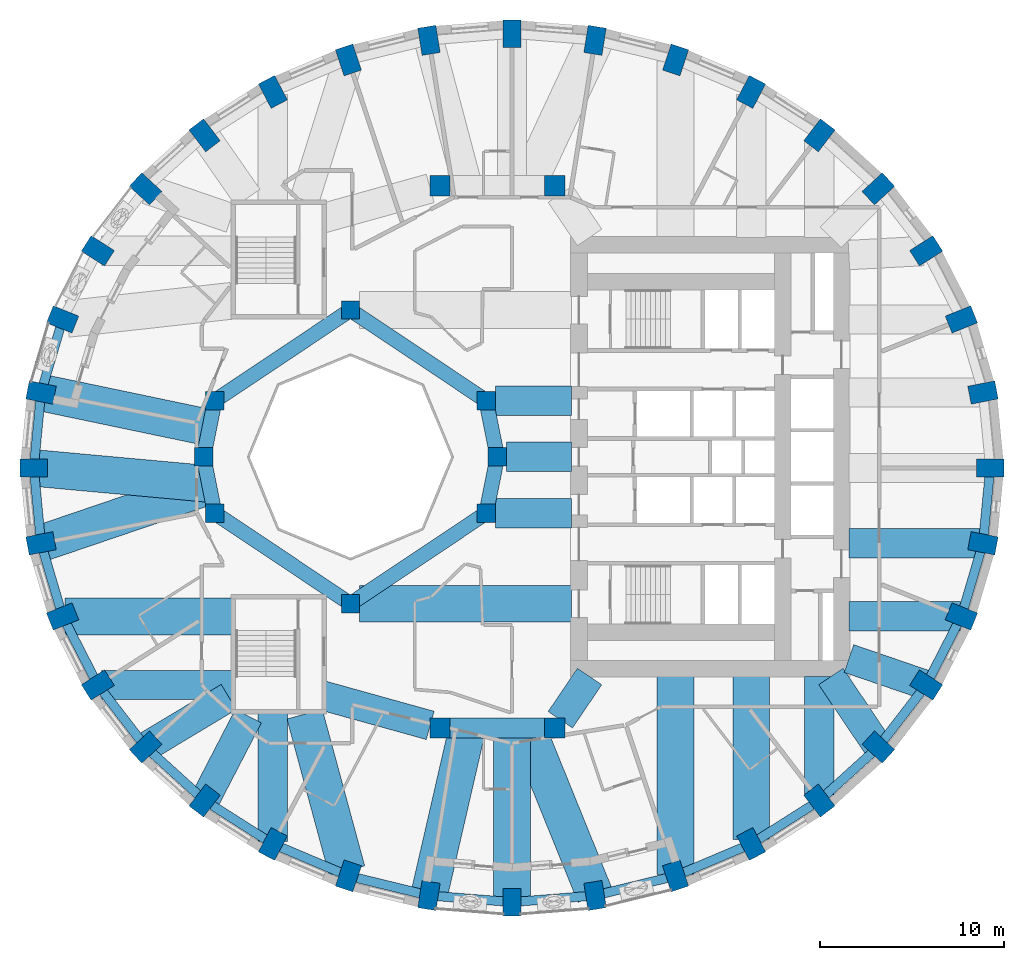
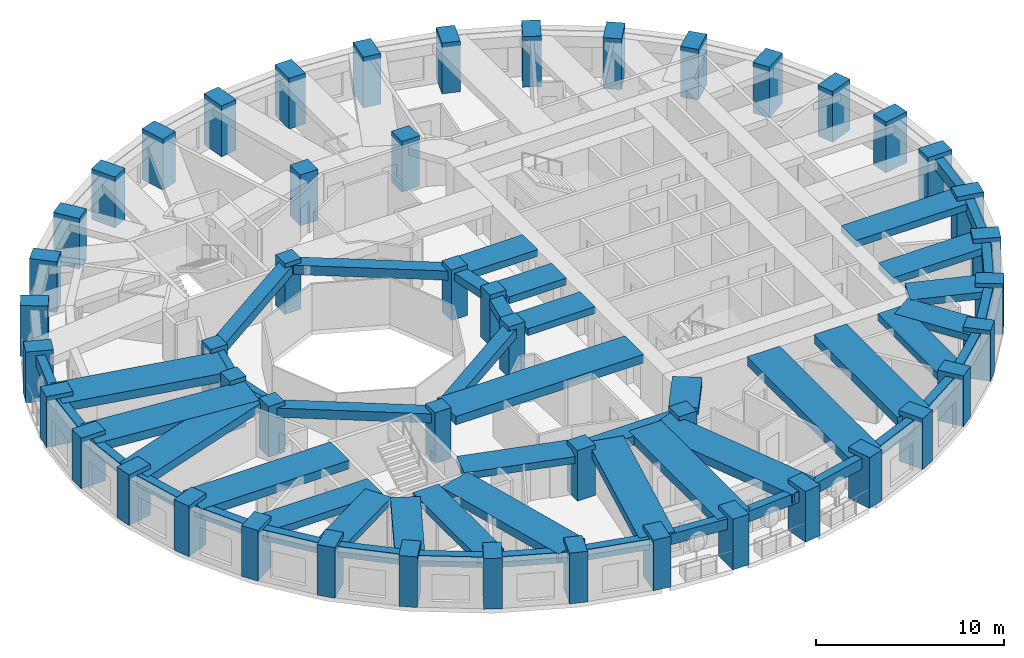
# One storey, part 1 of 13: 54 beams, 48 columns.
"""IFC4 building model written with IfcOpenShell, lengths in metres."""

from ifc_helpers import new_model, si_unit, direction, frame, origin, origin_2d, place, context, subcontext, project, spatial, rectangle, extrude, material, material_profile, profile_set, type_object, element, save


model = new_model("IFC4")

# Units and contexts
model_context = context("Model", 3, precision=1e-05, world=origin(), true_north=direction((0.0, 1.0)))
body_context = subcontext(model_context, "Body", "Model", "MODEL_VIEW")
ifc_project = project(units=[si_unit("LENGTHUNIT", "METRE"), si_unit("AREAUNIT", "SQUARE_METRE"), si_unit("VOLUMEUNIT", "CUBIC_METRE"), si_unit("PLANEANGLEUNIT", "RADIAN"), si_unit("MASSUNIT", "GRAM", prefix="KILO")], contexts=[model_context])

# Site, building, storey
site_placement = place(None, origin())
site = spatial("IfcSite", under=ifc_project, at=site_placement, CompositionType="ELEMENT")
building_placement = place(site_placement, origin())
building = spatial("IfcBuilding", under=site, at=building_placement, Name="Taillehof Tower", CompositionType="ELEMENT")
storey_placement = place(building_placement, frame((0.0, 0.0, 112.0)))
storey = spatial("IfcBuildingStorey", under=building, at=storey_placement, Name="L31", CompositionType="ELEMENT", Elevation=112.0)

# Columns
ifc_material_1 = material(Name="Concrete C50/60", Category="concrete")
ifc_material_profile_1 = material_profile(ifc_material_1, rectangle(XDim=1.0, YDim=1.0, at=origin_2d()), Name="RC 1000x1000")
ifc_profile_set_1 = profile_set([ifc_material_profile_1], Name="Concrete C50/60")
column_type_1 = type_object("IfcColumnType", Name="Atrium ring column C50/60 1000x1000", PredefinedType="COLUMN", material=ifc_profile_set_1)
for number, where, z_axis, x_axis, name in (
    (1, (0.0, 0.0, 0.0), (0.0, 0.0, 1.0), (1.0, 0.0, 0.0), "Column AC01"),
    (2, (-0.60888671875, 3.0615234375, 0.0), (0.0, 0.0, 1.0), (1.0, 0.0, 0.0), "Column AC02"),
    (3, (-8.0, 8.0, 0.0), (0.0, 0.0, 1.0), (1.0, 0.0, 0.0), "Column AC05"),
    (4, (-15.39111328125, 3.0615234375, 0.0), (0.0, 0.0, 1.0), (1.0, 0.0, 0.0), "Column AC08"),
    (5, (-16.0, 0.0, 0.0), (0.0, 0.0, 1.0), (1.0, 0.0, 0.0), "Column AC09"),
    (6, (-15.39111328125, -3.0615234375, 0.0), (0.0, 0.0, 1.0), (1.0, 0.0, 0.0), "Column AC10"),
    (7, (-8.0, -8.0, 0.0), (0.0, 0.0, 1.0), (1.0, 0.0, 0.0), "Column AC13"),
    (8, (-0.60888671875, -3.0615234375, 0.0), (0.0, 0.0, 1.0), (1.0, 0.0, 0.0), "Column AC16"),
):
    element("IfcColumn", number, at=place(storey_placement, frame(where, z_axis=z_axis, x_axis=x_axis)), inside=storey, type_object=column_type_1, Name=name, PredefinedType="COLUMN", context=body_context, shape_type="SweptSolid", body=[
        extrude(rectangle(XDim=1.0, YDim=1.0, at=origin_2d()), origin(), (0.0, 0.0, 1.0), 3.300048828125),
    ])
ifc_material_2 = material(Name="Concrete C50/60", Category="concrete")
ifc_material_profile_2 = material_profile(ifc_material_2, rectangle(XDim=1.10009765625, YDim=1.10009765625, at=origin_2d()), Name="RC 1100x1100")
ifc_profile_set_2 = profile_set([ifc_material_profile_2], Name="Concrete C50/60")
column_type_2 = type_object("IfcColumnType", Name="Mid-ring column C50/60 1100x1100", PredefinedType="COLUMN", material=ifc_profile_set_2)
for number, where, z_axis, x_axis, name in (
    (9, (3.125732421875, 14.772216796875, 0.0), (0.0, 0.0, 1.0), (1.0, 0.0, 0.0), "Column MC05"),
    (10, (-3.125732421875, 14.772216796875, 0.0), (0.0, 0.0, 1.0), (1.0, 0.0, 0.0), "Column MC06"),
    (11, (-3.125732421875, -14.772216796875, 0.0), (0.0, 0.0, 1.0), (1.0, 0.0, 0.0), "Column MC14"),
    (12, (3.125732421875, -14.772216796875, 0.0), (0.0, 0.0, 1.0), (1.0, 0.0, 0.0), "Column MC15"),
):
    element("IfcColumn", number, at=place(storey_placement, frame(where, z_axis=z_axis, x_axis=x_axis)), inside=storey, type_object=column_type_2, Name=name, PredefinedType="COLUMN", context=body_context, shape_type="SweptSolid", body=[
        extrude(rectangle(XDim=1.10009765625, YDim=1.10009765625, at=origin_2d()), origin(), (0.0, 0.0, 1.0), 3.300048828125),
    ])
ifc_material_3 = material(Name="Concrete C70/85", Category="concrete")
ifc_material_profile_3 = material_profile(ifc_material_3, rectangle(XDim=1.5, YDim=1.0, at=origin_2d()), Name="RC 1500x1000")
ifc_profile_set_3 = profile_set([ifc_material_profile_3], Name="Concrete C70/85")
column_type_3 = type_object("IfcColumnType", Name="Ring column C70/85 1500x1000", PredefinedType="COLUMN", material=ifc_profile_set_3)
for number, where, z_axis, x_axis, name in (
    (13, (26.85009765625, -0.60009765625, 0.0), (0.0, 0.0, 1.0), (1.0, 0.0, 0.0), "Ring column RC01"),
    (14, (26.454345703125, 3.5068359375, 0.0), (0.0, 0.0, 1.0), (0.981757466121, 0.190137523166, 0.0), "Ring column RC02"),
    (15, (25.279052734375, 7.48876953125, 0.0), (0.0, 0.0, 1.0), (0.928550110352, 0.371207075048, 0.0), "Ring column RC03"),
    (16, (23.35986328125, 11.22509765625, 0.0), (0.0, 0.0, 1.0), (0.844511454562, 0.535537489923, 0.0), "Ring column RC04"),
    (17, (20.75537109375, 14.60205078125, 0.0), (0.0, 0.0, 1.0), (0.735332034083, 0.677707016085, 0.0), "Ring column RC05"),
    (18, (17.544677734375, 17.516845703125, 0.0), (0.0, 0.0, 1.0), (0.607074228939, 0.794645128694, 0.0), "Ring column RC06"),
    (19, (13.824951171875, 19.881591796875, 0.0), (0.0, 0.0, 1.0), (0.465283017627, 0.885161970211, 0.0), "Ring column RC07"),
    (20, (9.709716796875, 21.623779296875, 0.0), (0.0, 0.0, 1.0), (0.314554972703, 0.949239258116, 0.0), "Ring column RC08"),
    (21, (5.323486328125, 22.690673828125, 0.0), (0.0, 0.0, 1.0), (0.158507038215, 0.987357847407, 0.0), "Ring column RC09"),
    (22, (0.800048828125, 23.050048828125, 0.0), (0.0, 0.0, 1.0), (0.0, 1.0, 0.0), "Ring column RC10"),
    (23, (-3.7236328125, 22.690673828125, 0.0), (0.0, 0.0, 1.0), (-0.158507038215, 0.987357847407, 0.0), "Ring column RC11"),
    (24, (-8.109619140625, 21.623779296875, 0.0), (0.0, 0.0, 1.0), (-0.314554972703, 0.949239258116, 0.0), "Ring column RC12"),
    (25, (-12.22509765625, 19.881591796875, 0.0), (0.0, 0.0, 1.0), (-0.465283017627, 0.885161970211, 0.0), "Ring column RC13"),
    (26, (-15.944580078125, 17.516845703125, 0.0), (0.0, 0.0, 1.0), (-0.607074228939, 0.794645128694, 0.0), "Ring column RC14"),
    (27, (-19.155517578125, 14.60205078125, 0.0), (0.0, 0.0, 1.0), (-0.735332034083, 0.677707016085, 0.0), "Ring column RC15"),
    (28, (-21.760009765625, 11.22509765625, 0.0), (0.0, 0.0, 1.0), (-0.844511454562, 0.535537489923, 0.0), "Ring column RC16"),
    (29, (-23.678955078125, 7.48876953125, 0.0), (0.0, 0.0, 1.0), (-0.928550110352, 0.371207075048, 0.0), "Ring column RC17"),
    (30, (-24.854248046875, 3.5068359375, 0.0), (0.0, 0.0, 1.0), (-0.981757466121, 0.190137523166, 0.0), "Ring column RC18"),
    (31, (-25.25, -0.60009765625, 0.0), (0.0, 0.0, 1.0), (-1.0, 0.0, 0.0), "Ring column RC19"),
    (32, (-24.854248046875, -4.706787109375, 0.0), (0.0, 0.0, 1.0), (-0.981757466121, -0.190137523166, 0.0), "Ring column RC20"),
    (33, (-23.678955078125, -8.688720703125, 0.0), (0.0, 0.0, 1.0), (-0.928550110352, -0.371207075048, 0.0), "Ring column RC21"),
    (34, (-21.760009765625, -12.425048828125, 0.0), (0.0, 0.0, 1.0), (-0.844511454562, -0.535537489923, 0.0), "Ring column RC22"),
    (35, (-19.155517578125, -15.802001953125, 0.0), (0.0, 0.0, 1.0), (-0.735332034083, -0.677707016085, 0.0), "Ring column RC23"),
    (36, (-15.944580078125, -18.717041015625, 0.0), (0.0, 0.0, 1.0), (-0.607074228939, -0.794645128694, 0.0), "Ring column RC24"),
    (37, (-12.22509765625, -21.08154296875, 0.0), (0.0, 0.0, 1.0), (-0.465283017627, -0.885161970211, 0.0), "Ring column RC25"),
    (38, (-8.109619140625, -22.82373046875, 0.0), (0.0, 0.0, 1.0), (-0.314554972703, -0.949239258116, 0.0), "Ring column RC26"),
    (39, (-3.7236328125, -23.890625, 0.0), (0.0, 0.0, 1.0), (-0.158507038215, -0.987357847407, 0.0), "Ring column RC27"),
    (40, (0.800048828125, -24.25, 0.0), (0.0, 0.0, 1.0), (0.0, -1.0, 0.0), "Ring column RC28"),
    (41, (5.323486328125, -23.890625, 0.0), (0.0, 0.0, 1.0), (0.158507038215, -0.987357847407, 0.0), "Ring column RC29"),
    (42, (9.709716796875, -22.82373046875, 0.0), (0.0, 0.0, 1.0), (0.314554972703, -0.949239258116, 0.0), "Ring column RC30"),
    (43, (13.824951171875, -21.08154296875, 0.0), (0.0, 0.0, 1.0), (0.465283017627, -0.885161970211, 0.0), "Ring column RC31"),
    (44, (17.544677734375, -18.717041015625, 0.0), (0.0, 0.0, 1.0), (0.607074228939, -0.794645128694, 0.0), "Ring column RC32"),
    (45, (20.75537109375, -15.802001953125, 0.0), (0.0, 0.0, 1.0), (0.735332034083, -0.677707016085, 0.0), "Ring column RC33"),
    (46, (23.35986328125, -12.425048828125, 0.0), (0.0, 0.0, 1.0), (0.844511454562, -0.535537489923, 0.0), "Ring column RC34"),
    (47, (25.279052734375, -8.688720703125, 0.0), (0.0, 0.0, 1.0), (0.928550110352, -0.371207075048, 0.0), "Ring column RC35"),
    (48, (26.454345703125, -4.706787109375, 0.0), (0.0, 0.0, 1.0), (0.981757466121, -0.190137523166, 0.0), "Ring column RC36"),
):
    element("IfcColumn", number, at=place(storey_placement, frame(where, z_axis=z_axis, x_axis=x_axis)), inside=storey, type_object=column_type_3, Name=name, PredefinedType="COLUMN", context=body_context, shape_type="SweptSolid", body=[
        extrude(rectangle(XDim=1.5, YDim=1.0, at=origin_2d()), origin(), (0.0, 0.0, 1.0), 3.300048828125),
    ])

# Beams
ifc_material_4 = material(Name="Concrete C50/60", Category="concrete")
ifc_material_profile_4 = material_profile(ifc_material_4, rectangle(XDim=0.800048828125, YDim=0.5, at=origin_2d()), Name="RC 800x500")
ifc_profile_set_4 = profile_set([ifc_material_profile_4], Name="Concrete C50/60")
beam_type_1 = type_object("IfcBeamType", Name="Atrium ring beam C50/60 800x500", PredefinedType="BEAM", material=ifc_profile_set_4)
for number, where, z_axis, x_axis, name in (
    (49, (0.0, 0.0, 2.77001953125), (-0.195063155143, 0.980790683839, 0.0), (-0.980790683839, -0.195063155143, 0.0), "Atrium ring beam AB01"),
    (50, (-15.39111328125, 3.0615234375, 2.77001953125), (-0.195063155143, -0.980790683839, 0.0), (0.980790683839, -0.195063155143, 0.0), "Atrium ring beam AB04"),
    (51, (-16.0, 0.0, 2.77001953125), (0.195063155143, -0.980790683839, 0.0), (0.980790683839, 0.195063155143, 0.0), "Atrium ring beam AB05"),
    (52, (-0.60888671875, -3.0615234375, 2.77001953125), (0.195063155143, 0.980790683839, 0.0), (-0.980790683839, 0.195063155143, 0.0), "Atrium ring beam AB08"),
):
    element("IfcBeam", number, at=place(storey_placement, frame(where, z_axis=z_axis, x_axis=x_axis)), inside=storey, type_object=beam_type_1, Name=name, PredefinedType="BEAM", context=body_context, shape_type="SweptSolid", body=[
        extrude(rectangle(XDim=0.800048828125, YDim=0.5, at=origin_2d()), origin(), (0.0, 0.0, 1.0), 3.12158203125),
    ])
ifc_material_5 = material(Name="Concrete C50/60", Category="concrete")
ifc_material_profile_5 = material_profile(ifc_material_5, rectangle(XDim=0.800048828125, YDim=0.60009765625, at=origin_2d()), Name="RC 800x600")
ifc_profile_set_5 = profile_set([ifc_material_profile_5], Name="Concrete C50/60")
beam_type_2 = type_object("IfcBeamType", Name="Atrium ring beam C50/60 800x600", PredefinedType="BEAM", material=ifc_profile_set_5)
for number, where, z_axis, x_axis, name in (
    (53, (-0.60888671875, 3.0615234375, 2.719970703125), (-0.831475195687, 0.555561876804, 0.0), (-0.555561876804, -0.831475195687, 0.0), "Atrium ring beam AB02"),
    (54, (-8.0, 8.0, 2.719970703125), (-0.831475195687, -0.555561876804, 0.0), (0.555561876804, -0.831475195687, 0.0), "Atrium ring beam AB03"),
    (55, (-15.39111328125, -3.0615234375, 2.719970703125), (0.831475195687, -0.555561876804, 0.0), (0.555561876804, 0.831475195687, 0.0), "Atrium ring beam AB06"),
    (56, (-8.0, -8.0, 2.719970703125), (0.831475195687, 0.555561876804, 0.0), (-0.555561876804, 0.831475195687, 0.0), "Atrium ring beam AB07"),
):
    element("IfcBeam", number, at=place(storey_placement, frame(where, z_axis=z_axis, x_axis=x_axis)), inside=storey, type_object=beam_type_2, Name=name, PredefinedType="BEAM", context=body_context, shape_type="SweptSolid", body=[
        extrude(rectangle(XDim=0.800048828125, YDim=0.60009765625, at=origin_2d()), origin(), (0.0, 0.0, 1.0), 8.88916015625),
    ])
ifc_material_6 = material(Name="Concrete C50/60", Category="concrete")
ifc_material_profile_6 = material_profile(ifc_material_6, rectangle(XDim=1.10009765625, YDim=0.60009765625, at=origin_2d()), Name="RC 1100x600")
ifc_profile_set_6 = profile_set([ifc_material_profile_6], Name="Concrete C50/60")
beam_type_3 = type_object("IfcBeamType", Name="Mid-ring beam C50/60 1100x600", PredefinedType="BEAM", material=ifc_profile_set_6)
beam_1_placement = place(storey_placement, frame((-3.125732421875, -14.772216796875, 2.719970703125), z_axis=(1.0, 0.0, 0.0), x_axis=(0.0, 1.0, 0.0)))
element("IfcBeam", 57, at=beam_1_placement, inside=storey, type_object=beam_type_3, Name="Mid-ring beam MB02", PredefinedType="BEAM", context=body_context, shape_type="SweptSolid", body=[
    extrude(rectangle(XDim=1.10009765625, YDim=0.60009765625, at=origin_2d()), origin(), (0.0, 0.0, 1.0), 6.25146484375),
])
ifc_material_7 = material(Name="Concrete C50/60", Category="concrete")
ifc_material_profile_7 = material_profile(ifc_material_7, rectangle(XDim=1.60009765625, YDim=0.449951171875, at=origin_2d()), Name="RC 1600x450")
ifc_profile_set_7 = profile_set([ifc_material_profile_7], Name="Concrete C50/60")
beam_type_4 = type_object("IfcBeamType", Name="Radial band beam C50/60 1600x450", PredefinedType="BEAM", material=ifc_profile_set_7)
beam_2_placement = place(storey_placement, frame((-21.54736328125, -12.425048828125, 2.794921875), z_axis=(1.0, 0.0, 0.0), x_axis=(0.0, 1.0, 0.0)))
element("IfcBeam", 58, at=beam_2_placement, inside=storey, type_object=beam_type_4, Name="Radial band beam RB22", PredefinedType="BEAM", context=body_context, shape_type="SweptSolid", body=[
    extrude(rectangle(XDim=1.60009765625, YDim=0.449951171875, at=origin_2d()), origin(), (0.0, 0.0, 1.0), 7.097412109375),
])
beam_3_placement = place(storey_placement, frame((-19.155517578125, -15.802001953125, 2.794921875), z_axis=(0.856794973818, 0.515657224171, 0.0), x_axis=(-0.515657224171, 0.856794973818, 0.0)))
element("IfcBeam", 59, at=beam_3_placement, inside=storey, type_object=beam_type_4, Name="Radial band beam RB23", PredefinedType="BEAM", context=body_context, shape_type="SweptSolid", body=[
    extrude(rectangle(XDim=1.60009765625, YDim=0.449951171875, at=origin_2d()), origin(), (0.0, 0.0, 1.0), 5.28369140625),
])
beam_4_placement = place(storey_placement, frame((-15.944580078125, -18.717041015625, 2.794921875), z_axis=(0.460119038647, 0.8878572353, 0.0), x_axis=(-0.8878572353, 0.460119038647, 0.0)))
element("IfcBeam", 60, at=beam_4_placement, inside=storey, type_object=beam_type_4, Name="Radial band beam RB24", PredefinedType="BEAM", context=body_context, shape_type="SweptSolid", body=[
    extrude(rectangle(XDim=1.60009765625, YDim=0.449951171875, at=origin_2d()), origin(), (0.0, 0.0, 1.0), 5.1796875),
])
beam_5_placement = place(storey_placement, frame((-12.22509765625, -20.9443359375, 2.794921875), z_axis=(0.0, 1.0, 0.0), x_axis=(-1.0, 0.0, 0.0)))
element("IfcBeam", 61, at=beam_5_placement, inside=storey, type_object=beam_type_4, Name="Radial band beam RB25", PredefinedType="BEAM", context=body_context, shape_type="SweptSolid", body=[
    extrude(rectangle(XDim=1.60009765625, YDim=0.449951171875, at=origin_2d()), origin(), (0.0, 0.0, 1.0), 6.994384765625),
])
beam_6_placement = place(storey_placement, frame((17.544677734375, -18.421875, 2.794921875), z_axis=(0.0, 1.0, 0.0), x_axis=(-1.0, 0.0, 0.0)))
element("IfcBeam", 62, at=beam_6_placement, inside=storey, type_object=beam_type_4, Name="Radial band beam RB32", PredefinedType="BEAM", context=body_context, shape_type="SweptSolid", body=[
    extrude(rectangle(XDim=1.60009765625, YDim=0.449951171875, at=origin_2d()), origin(), (0.0, 0.0, 1.0), 6.471923828125),
])
beam_7_placement = place(storey_placement, frame((20.75537109375, -15.802001953125, 2.794921875), z_axis=(-0.557822939952, 0.829959979555, 0.0), x_axis=(-0.829959979555, -0.557822939952, 0.0)))
element("IfcBeam", 63, at=beam_7_placement, inside=storey, type_object=beam_type_4, Name="Radial band beam RB33", PredefinedType="BEAM", context=body_context, shape_type="SweptSolid", body=[
    extrude(rectangle(XDim=1.60009765625, YDim=0.449951171875, at=origin_2d()), origin(), (0.0, 0.0, 1.0), 4.630859375),
])
beam_8_placement = place(storey_placement, frame((23.35986328125, -12.425048828125, 2.794921875), z_axis=(-0.946037817118, 0.324056242932, 0.0), x_axis=(-0.324056242932, -0.946037817118, 0.0)))
element("IfcBeam", 64, at=beam_8_placement, inside=storey, type_object=beam_type_4, Name="Radial band beam RB34", PredefinedType="BEAM", context=body_context, shape_type="SweptSolid", body=[
    extrude(rectangle(XDim=1.60009765625, YDim=0.449951171875, at=origin_2d()), origin(), (0.0, 0.0, 1.0), 4.447265625),
])
beam_9_placement = place(storey_placement, frame((25.2275390625, -8.688720703125, 2.794921875), z_axis=(-1.0, 0.0, 0.0), x_axis=(0.0, -1.0, 0.0)))
element("IfcBeam", 65, at=beam_9_placement, inside=storey, type_object=beam_type_4, Name="Radial band beam RB35", PredefinedType="BEAM", context=body_context, shape_type="SweptSolid", body=[
    extrude(rectangle(XDim=1.60009765625, YDim=0.449951171875, at=origin_2d()), origin(), (0.0, 0.0, 1.0), 6.07763671875),
])
beam_10_placement = place(storey_placement, frame((26.454345703125, -4.706787109375, 2.794921875), z_axis=(-1.0, 0.0, 0.0), x_axis=(0.0, -1.0, 0.0)))
element("IfcBeam", 66, at=beam_10_placement, inside=storey, type_object=beam_type_4, Name="Radial band beam RB36", PredefinedType="BEAM", context=body_context, shape_type="SweptSolid", body=[
    extrude(rectangle(XDim=1.60009765625, YDim=0.449951171875, at=origin_2d()), origin(), (0.0, 0.0, 1.0), 7.304443359375),
])
beam_11_placement = place(storey_placement, frame((0.5, 0.0, 2.794921875), z_axis=(1.0, 0.0, 0.0), x_axis=(0.0, 1.0, 0.0)))
element("IfcBeam", 67, at=beam_11_placement, inside=storey, type_object=beam_type_4, Name="Inner band beam IB101", PredefinedType="BEAM", context=body_context, shape_type="SweptSolid", body=[
    extrude(rectangle(XDim=1.60009765625, YDim=0.449951171875, at=origin_2d()), origin(), (0.0, 0.0, 1.0), 3.550048828125),
])
for number, where, z_axis, x_axis, name in (
    (68, (-0.10888671875, 3.0615234375, 2.794921875), (1.0, 0.0, 0.0), (0.0, 1.0, 0.0), "Inner band beam IB102"),
    (69, (-0.10888671875, -3.0615234375, 2.794921875), (1.0, 0.0, 0.0), (0.0, 1.0, 0.0), "Inner band beam IB116"),
):
    element("IfcBeam", number, at=place(storey_placement, frame(where, z_axis=z_axis, x_axis=x_axis)), inside=storey, type_object=beam_type_4, Name=name, PredefinedType="BEAM", context=body_context, shape_type="SweptSolid", body=[
        extrude(rectangle(XDim=1.60009765625, YDim=0.449951171875, at=origin_2d()), origin(), (0.0, 0.0, 1.0), 4.158935546875),
    ])
beam_12_placement = place(storey_placement, frame((-3.655517578125, -14.624755859375, 2.794921875), z_axis=(-0.963459369536, 0.267854518821, 0.0), x_axis=(-0.267854518821, -0.963459369536, 0.0)))
element("IfcBeam", 70, at=beam_12_placement, inside=storey, type_object=beam_type_4, Name="Inner band beam IB214", PredefinedType="BEAM", context=body_context, shape_type="SweptSolid", body=[
    extrude(rectangle(XDim=1.60009765625, YDim=0.449951171875, at=origin_2d()), origin(), (0.0, 0.0, 1.0), 6.096923828125),
])
beam_13_placement = place(storey_placement, frame((3.433837890625, -14.31640625, 2.794921875), z_axis=(0.560112043398, 0.828416862962, 0.0), x_axis=(-0.828416862962, 0.560112043398, 0.0)))
element("IfcBeam", 71, at=beam_13_placement, inside=storey, type_object=beam_type_4, Name="Inner band beam IB215", PredefinedType="BEAM", context=body_context, shape_type="SweptSolid", body=[
    extrude(rectangle(XDim=1.60009765625, YDim=0.449951171875, at=origin_2d()), origin(), (0.0, 0.0, 1.0), 2.84619140625),
])
ifc_material_8 = material(Name="Concrete C50/60", Category="concrete")
ifc_material_profile_8 = material_profile(ifc_material_8, rectangle(XDim=2.0, YDim=0.550048828125, at=origin_2d()), Name="RC 2000x550")
ifc_profile_set_8 = profile_set([ifc_material_profile_8], Name="Concrete C50/60")
beam_type_5 = type_object("IfcBeamType", Name="Radial band beam C50/60 2000x550", PredefinedType="BEAM", material=ifc_profile_set_8)
beam_14_placement = place(storey_placement, frame((-24.854248046875, 3.5068359375, 2.7451171875), z_axis=(0.978853404319, -0.204562980164, 0.0), x_axis=(0.204562980164, 0.978853404319, 0.0)))
element("IfcBeam", 72, at=beam_14_placement, inside=storey, type_object=beam_type_5, Name="Radial band beam RB18", PredefinedType="BEAM", context=body_context, shape_type="SweptSolid", body=[
    extrude(rectangle(XDim=2.0, YDim=0.550048828125, at=origin_2d()), origin(), (0.0, 0.0, 1.0), 9.36865234375),
])
beam_15_placement = place(storey_placement, frame((-25.25, -0.60009765625, 2.7451171875), z_axis=(0.995859515154, -0.090905588816, 0.0), x_axis=(0.090905588816, 0.995859515154, 0.0)))
element("IfcBeam", 73, at=beam_15_placement, inside=storey, type_object=beam_type_5, Name="Radial band beam RB19", PredefinedType="BEAM", context=body_context, shape_type="SweptSolid", body=[
    extrude(rectangle(XDim=2.0, YDim=0.550048828125, at=origin_2d()), origin(), (0.0, 0.0, 1.0), 9.58251953125),
])
beam_16_placement = place(storey_placement, frame((-24.854248046875, -4.706787109375, 2.7451171875), z_axis=(0.946822052625, 0.321757673822, 0.0), x_axis=(-0.321757673822, 0.946822052625, 0.0)))
element("IfcBeam", 74, at=beam_16_placement, inside=storey, type_object=beam_type_5, Name="Radial band beam RB20", PredefinedType="BEAM", context=body_context, shape_type="SweptSolid", body=[
    extrude(rectangle(XDim=2.0, YDim=0.550048828125, at=origin_2d()), origin(), (0.0, 0.0, 1.0), 9.685791015625),
])
beam_17_placement = place(storey_placement, frame((-23.54736328125, -8.688720703125, 2.7451171875), z_axis=(1.0, 0.0, 0.0), x_axis=(0.0, 1.0, 0.0)))
element("IfcBeam", 75, at=beam_17_placement, inside=storey, type_object=beam_type_5, Name="Radial band beam RB21", PredefinedType="BEAM", context=body_context, shape_type="SweptSolid", body=[
    extrude(rectangle(XDim=2.0, YDim=0.550048828125, at=origin_2d()), origin(), (0.0, 0.0, 1.0), 9.097412109375),
])
beam_18_placement = place(storey_placement, frame((-8.186767578125, -22.539306640625, 2.7451171875), z_axis=(-0.261461600872, 0.965213878511, 0.0), x_axis=(-0.965213878511, -0.261461600872, 0.0)))
element("IfcBeam", 76, at=beam_18_placement, inside=storey, type_object=beam_type_5, Name="Radial band beam RB26", PredefinedType="BEAM", context=body_context, shape_type="SweptSolid", body=[
    extrude(rectangle(XDim=2.0, YDim=0.550048828125, at=origin_2d()), origin(), (0.0, 0.0, 1.0), 8.835205078125),
])
beam_19_placement = place(storey_placement, frame((-3.7236328125, -23.890625, 2.7451171875), z_axis=(0.224215346781, 0.974539623755, 0.0), x_axis=(-0.974539623755, 0.224215346781, 0.0)))
element("IfcBeam", 77, at=beam_19_placement, inside=storey, type_object=beam_type_5, Name="Radial band beam RB27", PredefinedType="BEAM", context=body_context, shape_type="SweptSolid", body=[
    extrude(rectangle(XDim=2.0, YDim=0.550048828125, at=origin_2d()), origin(), (0.0, 0.0, 1.0), 9.356689453125),
])
beam_20_placement = place(storey_placement, frame((0.800048828125, -24.25, 2.7451171875), z_axis=(0.0, 1.0, 0.0), x_axis=(-1.0, 0.0, 0.0)))
element("IfcBeam", 78, at=beam_20_placement, inside=storey, type_object=beam_type_5, Name="Radial band beam RB28", PredefinedType="BEAM", context=body_context, shape_type="SweptSolid", body=[
    extrude(rectangle(XDim=2.0, YDim=0.550048828125, at=origin_2d()), origin(), (0.0, 0.0, 1.0), 9.477783203125),
])
beam_21_placement = place(storey_placement, frame((5.323486328125, -23.890625, 2.7451171875), z_axis=(-0.375801287916, 0.926700270854, 0.0), x_axis=(-0.926700270854, -0.375801287916, 0.0)))
element("IfcBeam", 79, at=beam_21_placement, inside=storey, type_object=beam_type_5, Name="Radial band beam RB29", PredefinedType="BEAM", context=body_context, shape_type="SweptSolid", body=[
    extrude(rectangle(XDim=2.0, YDim=0.550048828125, at=origin_2d()), origin(), (0.0, 0.0, 1.0), 9.839599609375),
])
beam_22_placement = place(storey_placement, frame((9.709716796875, -22.756591796875, 2.7451171875), z_axis=(0.0, 1.0, 0.0), x_axis=(-1.0, 0.0, 0.0)))
element("IfcBeam", 80, at=beam_22_placement, inside=storey, type_object=beam_type_5, Name="Radial band beam RB30", PredefinedType="BEAM", context=body_context, shape_type="SweptSolid", body=[
    extrude(rectangle(XDim=2.0, YDim=0.550048828125, at=origin_2d()), origin(), (0.0, 0.0, 1.0), 10.806640625),
])
beam_23_placement = place(storey_placement, frame((13.824951171875, -20.839599609375, 2.7451171875), z_axis=(0.0, 1.0, 0.0), x_axis=(-1.0, 0.0, 0.0)))
element("IfcBeam", 81, at=beam_23_placement, inside=storey, type_object=beam_type_5, Name="Radial band beam RB31", PredefinedType="BEAM", context=body_context, shape_type="SweptSolid", body=[
    extrude(rectangle(XDim=2.0, YDim=0.550048828125, at=origin_2d()), origin(), (0.0, 0.0, 1.0), 8.8896484375),
])
beam_24_placement = place(storey_placement, frame((-7.5, -8.0, 2.7451171875), z_axis=(1.0, 0.0, 0.0), x_axis=(0.0, 1.0, 0.0)))
element("IfcBeam", 82, at=beam_24_placement, inside=storey, type_object=beam_type_5, Name="Inner band beam IB113", PredefinedType="BEAM", context=body_context, shape_type="SweptSolid", body=[
    extrude(rectangle(XDim=2.0, YDim=0.550048828125, at=origin_2d()), origin(), (0.0, 0.0, 1.0), 11.550048828125),
])
ifc_material_9 = material(Name="Concrete C50/60", Category="concrete")
ifc_material_profile_9 = material_profile(ifc_material_9, rectangle(XDim=0.5, YDim=0.699951171875, at=origin_2d()), Name="RC 500x700")
ifc_profile_set_9 = profile_set([ifc_material_profile_9], Name="Concrete C50/60")
beam_type_6 = type_object("IfcBeamType", Name="Spandrel beam C50/60 500x700", PredefinedType="SPANDREL", material=ifc_profile_set_9)
beam_25_placement = place(storey_placement, frame((-23.678955078125, 7.48876953125, 2.669921875), z_axis=(-0.28308309012, -0.95909538842, 0.0), x_axis=(0.95909538842, -0.28308309012, 0.0)))
element("IfcBeam", 83, at=beam_25_placement, inside=storey, type_object=beam_type_6, Name="Spandrel beam SB17", PredefinedType="SPANDREL", context=body_context, shape_type="SweptSolid", body=[
    extrude(rectangle(XDim=0.5, YDim=0.699951171875, at=origin_2d()), origin(), (0.0, 0.0, 1.0), 4.15185546875),
])
beam_26_placement = place(storey_placement, frame((-24.854248046875, 3.5068359375, 2.669921875), z_axis=(-0.095917608943, -0.995389276763, 0.0), x_axis=(0.995389276763, -0.095917608943, 0.0)))
element("IfcBeam", 84, at=beam_26_placement, inside=storey, type_object=beam_type_6, Name="Spandrel beam SB18", PredefinedType="SPANDREL", context=body_context, shape_type="SweptSolid", body=[
    extrude(rectangle(XDim=0.5, YDim=0.699951171875, at=origin_2d()), origin(), (0.0, 0.0, 1.0), 4.1259765625),
])
beam_27_placement = place(storey_placement, frame((-25.25, -0.60009765625, 2.669921875), z_axis=(0.09592325873, -0.995388732323, 0.0), x_axis=(0.995388732323, 0.09592325873, 0.0)))
element("IfcBeam", 85, at=beam_27_placement, inside=storey, type_object=beam_type_6, Name="Spandrel beam SB19", PredefinedType="SPANDREL", context=body_context, shape_type="SweptSolid", body=[
    extrude(rectangle(XDim=0.5, YDim=0.699951171875, at=origin_2d()), origin(), (0.0, 0.0, 1.0), 4.125732421875),
])
beam_28_placement = place(storey_placement, frame((-24.854248046875, -4.706787109375, 2.669921875), z_axis=(0.28308309012, -0.95909538842, 0.0), x_axis=(0.95909538842, 0.28308309012, 0.0)))
element("IfcBeam", 86, at=beam_28_placement, inside=storey, type_object=beam_type_6, Name="Spandrel beam SB20", PredefinedType="SPANDREL", context=body_context, shape_type="SweptSolid", body=[
    extrude(rectangle(XDim=0.5, YDim=0.699951171875, at=origin_2d()), origin(), (0.0, 0.0, 1.0), 4.15185546875),
])
beam_29_placement = place(storey_placement, frame((-23.678955078125, -8.688720703125, 2.669921875), z_axis=(0.456859381733, -0.889538928503, 0.0), x_axis=(0.889538928503, 0.456859381733, 0.0)))
element("IfcBeam", 87, at=beam_29_placement, inside=storey, type_object=beam_type_6, Name="Spandrel beam SB21", PredefinedType="SPANDREL", context=body_context, shape_type="SweptSolid", body=[
    extrude(rectangle(XDim=0.5, YDim=0.699951171875, at=origin_2d()), origin(), (0.0, 0.0, 1.0), 4.2001953125),
])
beam_30_placement = place(storey_placement, frame((-21.760009765625, -12.425048828125, 2.669921875), z_axis=(0.61071731561, -0.79184869793, 0.0), x_axis=(0.79184869793, 0.61071731561, 0.0)))
element("IfcBeam", 88, at=beam_30_placement, inside=storey, type_object=beam_type_6, Name="Spandrel beam SB22", PredefinedType="SPANDREL", context=body_context, shape_type="SweptSolid", body=[
    extrude(rectangle(XDim=0.5, YDim=0.699951171875, at=origin_2d()), origin(), (0.0, 0.0, 1.0), 4.2646484375),
])
beam_31_placement = place(storey_placement, frame((-19.155517578125, -15.802001953125, 2.669921875), z_axis=(0.740398416885, -0.672168270803, 0.0), x_axis=(0.672168270803, 0.740398416885, 0.0)))
element("IfcBeam", 89, at=beam_31_placement, inside=storey, type_object=beam_type_6, Name="Spandrel beam SB23", PredefinedType="SPANDREL", context=body_context, shape_type="SweptSolid", body=[
    extrude(rectangle(XDim=0.5, YDim=0.699951171875, at=origin_2d()), origin(), (0.0, 0.0, 1.0), 4.336669921875),
])
beam_32_placement = place(storey_placement, frame((-15.944580078125, -18.717041015625, 2.669921875), z_axis=(0.843912293293, -0.536481165773, 0.0), x_axis=(0.536481165773, 0.843912293293, 0.0)))
element("IfcBeam", 90, at=beam_32_placement, inside=storey, type_object=beam_type_6, Name="Spandrel beam SB24", PredefinedType="SPANDREL", context=body_context, shape_type="SweptSolid", body=[
    extrude(rectangle(XDim=0.5, YDim=0.699951171875, at=origin_2d()), origin(), (0.0, 0.0, 1.0), 4.407470703125),
])
beam_33_placement = place(storey_placement, frame((-12.22509765625, -21.08154296875, 2.669921875), z_axis=(0.920885046825, -0.389834234688, 0.0), x_axis=(0.389834234688, 0.920885046825, 0.0)))
element("IfcBeam", 91, at=beam_33_placement, inside=storey, type_object=beam_type_6, Name="Spandrel beam SB25", PredefinedType="SPANDREL", context=body_context, shape_type="SweptSolid", body=[
    extrude(rectangle(XDim=0.5, YDim=0.699951171875, at=origin_2d()), origin(), (0.0, 0.0, 1.0), 4.468994140625),
])
beam_34_placement = place(storey_placement, frame((-8.109619140625, -22.82373046875, 2.669921875), z_axis=(0.971665924588, -0.236358479847, 0.0), x_axis=(0.236358479847, 0.971665924588, 0.0)))
element("IfcBeam", 92, at=beam_34_placement, inside=storey, type_object=beam_type_6, Name="Spandrel beam SB26", PredefinedType="SPANDREL", context=body_context, shape_type="SweptSolid", body=[
    extrude(rectangle(XDim=0.5, YDim=0.699951171875, at=origin_2d()), origin(), (0.0, 0.0, 1.0), 4.513916015625),
])
beam_35_placement = place(storey_placement, frame((-3.7236328125, -23.890625, 2.669921875), z_axis=(0.996859260648, -0.079193525375, 0.0), x_axis=(0.079193525375, 0.996859260648, 0.0)))
element("IfcBeam", 93, at=beam_35_placement, inside=storey, type_object=beam_type_6, Name="Spandrel beam SB27", PredefinedType="SPANDREL", context=body_context, shape_type="SweptSolid", body=[
    extrude(rectangle(XDim=0.5, YDim=0.699951171875, at=origin_2d()), origin(), (0.0, 0.0, 1.0), 4.537841796875),
])
beam_36_placement = place(storey_placement, frame((0.800048828125, -24.25, 2.669921875), z_axis=(0.996858923208, 0.079197772828, 0.0), x_axis=(-0.079197772828, 0.996858923208, 0.0)))
element("IfcBeam", 94, at=beam_36_placement, inside=storey, type_object=beam_type_6, Name="Spandrel beam SB28", PredefinedType="SPANDREL", context=body_context, shape_type="SweptSolid", body=[
    extrude(rectangle(XDim=0.5, YDim=0.699951171875, at=origin_2d()), origin(), (0.0, 0.0, 1.0), 4.53759765625),
])
beam_37_placement = place(storey_placement, frame((5.323486328125, -23.890625, 2.669921875), z_axis=(0.971668945916, 0.23634605887, 0.0), x_axis=(-0.23634605887, 0.971668945916, 0.0)))
element("IfcBeam", 95, at=beam_37_placement, inside=storey, type_object=beam_type_6, Name="Spandrel beam SB29", PredefinedType="SPANDREL", context=body_context, shape_type="SweptSolid", body=[
    extrude(rectangle(XDim=0.5, YDim=0.699951171875, at=origin_2d()), origin(), (0.0, 0.0, 1.0), 4.51416015625),
])
beam_38_placement = place(storey_placement, frame((9.709716796875, -22.82373046875, 2.669921875), z_axis=(0.920876744153, 0.389853847074, 0.0), x_axis=(-0.389853847074, 0.920876744153, 0.0)))
element("IfcBeam", 96, at=beam_38_placement, inside=storey, type_object=beam_type_6, Name="Spandrel beam SB30", PredefinedType="SPANDREL", context=body_context, shape_type="SweptSolid", body=[
    extrude(rectangle(XDim=0.5, YDim=0.699951171875, at=origin_2d()), origin(), (0.0, 0.0, 1.0), 4.46875),
])
beam_39_placement = place(storey_placement, frame((13.824951171875, -21.08154296875, 2.669921875), z_axis=(0.843928234947, 0.536456087914, 0.0), x_axis=(-0.536456087914, 0.843928234947, 0.0)))
element("IfcBeam", 97, at=beam_39_placement, inside=storey, type_object=beam_type_6, Name="Spandrel beam SB31", PredefinedType="SPANDREL", context=body_context, shape_type="SweptSolid", body=[
    extrude(rectangle(XDim=0.5, YDim=0.699951171875, at=origin_2d()), origin(), (0.0, 0.0, 1.0), 4.40771484375),
])
beam_40_placement = place(storey_placement, frame((17.544677734375, -18.717041015625, 2.669921875), z_axis=(0.740372980414, 0.672196288202, 0.0), x_axis=(-0.672196288202, 0.740372980414, 0.0)))
element("IfcBeam", 98, at=beam_40_placement, inside=storey, type_object=beam_type_6, Name="Spandrel beam SB32", PredefinedType="SPANDREL", context=body_context, shape_type="SweptSolid", body=[
    extrude(rectangle(XDim=0.5, YDim=0.699951171875, at=origin_2d()), origin(), (0.0, 0.0, 1.0), 4.336669921875),
])
beam_41_placement = place(storey_placement, frame((20.75537109375, -15.802001953125, 2.669921875), z_axis=(0.61071731561, 0.79184869793, 0.0), x_axis=(-0.79184869793, 0.61071731561, 0.0)))
element("IfcBeam", 99, at=beam_41_placement, inside=storey, type_object=beam_type_6, Name="Spandrel beam SB33", PredefinedType="SPANDREL", context=body_context, shape_type="SweptSolid", body=[
    extrude(rectangle(XDim=0.5, YDim=0.699951171875, at=origin_2d()), origin(), (0.0, 0.0, 1.0), 4.2646484375),
])
beam_42_placement = place(storey_placement, frame((23.35986328125, -12.425048828125, 2.669921875), z_axis=(0.456905372708, 0.88951530644, 0.0), x_axis=(-0.88951530644, 0.456905372708, 0.0)))
element("IfcBeam", 100, at=beam_42_placement, inside=storey, type_object=beam_type_6, Name="Spandrel beam SB34", PredefinedType="SPANDREL", context=body_context, shape_type="SweptSolid", body=[
    extrude(rectangle(XDim=0.5, YDim=0.699951171875, at=origin_2d()), origin(), (0.0, 0.0, 1.0), 4.200439453125),
])
beam_43_placement = place(storey_placement, frame((25.279052734375, -8.688720703125, 2.669921875), z_axis=(0.28308309012, 0.95909538842, 0.0), x_axis=(-0.95909538842, 0.28308309012, 0.0)))
element("IfcBeam", 101, at=beam_43_placement, inside=storey, type_object=beam_type_6, Name="Spandrel beam SB35", PredefinedType="SPANDREL", context=body_context, shape_type="SweptSolid", body=[
    extrude(rectangle(XDim=0.5, YDim=0.699951171875, at=origin_2d()), origin(), (0.0, 0.0, 1.0), 4.15185546875),
])
beam_44_placement = place(storey_placement, frame((26.454345703125, -4.706787109375, 2.669921875), z_axis=(0.09592325873, 0.995388732323, 0.0), x_axis=(-0.995388732323, 0.09592325873, 0.0)))
element("IfcBeam", 102, at=beam_44_placement, inside=storey, type_object=beam_type_6, Name="Spandrel beam SB36", PredefinedType="SPANDREL", context=body_context, shape_type="SweptSolid", body=[
    extrude(rectangle(XDim=0.5, YDim=0.699951171875, at=origin_2d()), origin(), (0.0, 0.0, 1.0), 4.125732421875),
])

save(model, "model.ifc")
